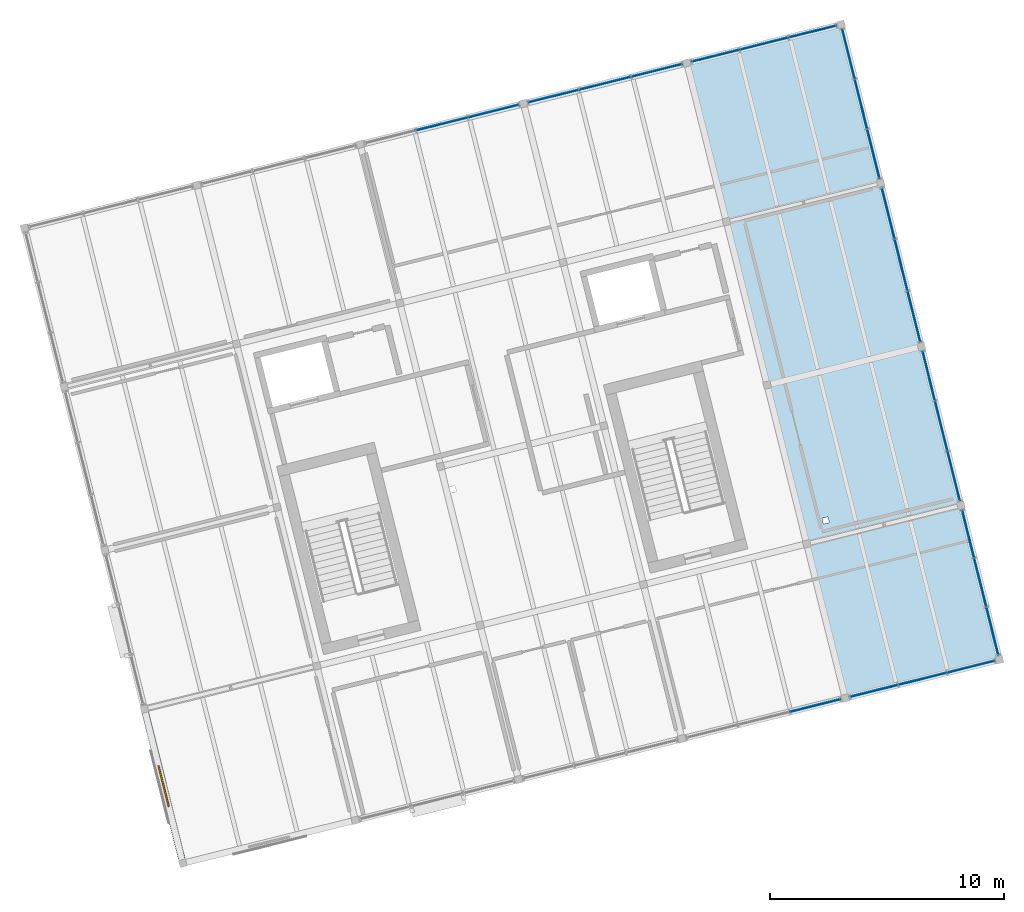
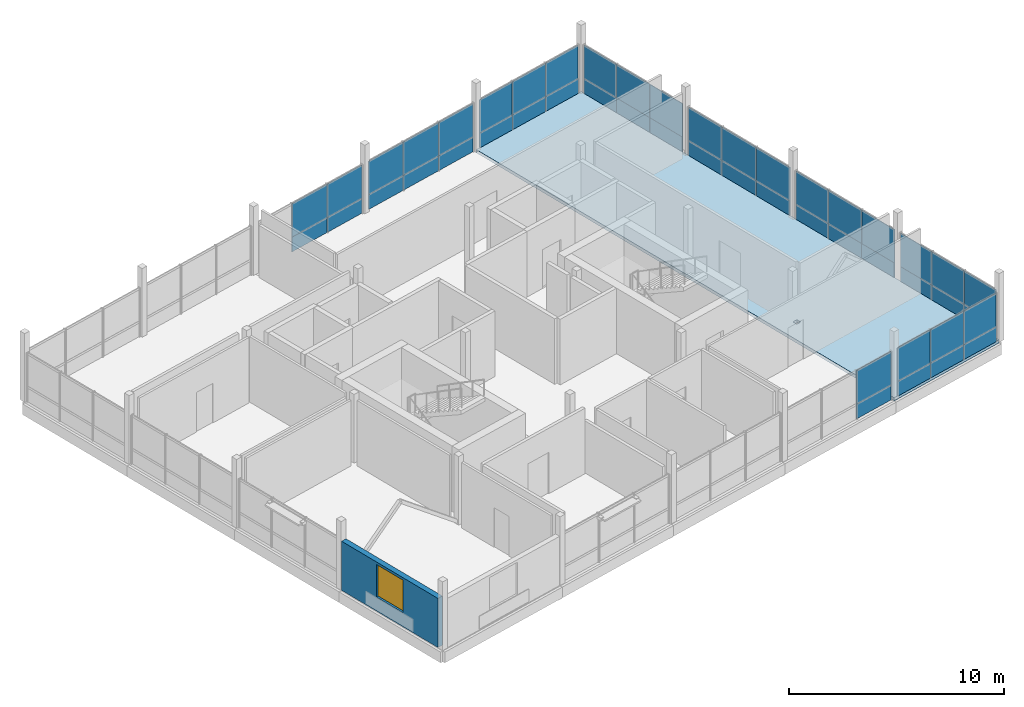
# One storey, part 22 of 25: 48 plates, 1 slab, 1 wall, 1 window, 1 opening, 9 elements without a shape of their own.
"""IFC4 building model written with IfcOpenShell, lengths in metres."""

from ifc_helpers import new_model, si_unit, direction, frame, frame_2d, origin, origin_2d, place, context, subcontext, project, spatial, polyline, rectangle, outline, extrude, material, layer, layer_set, type_object, element, fill, aggregate, save


model = new_model("IFC4")

# Units and contexts
model_context = context("Model", 3, precision=1e-05, world=origin(), true_north=direction((0.0, 1.0)))
body_context = subcontext(model_context, "Body", "Model", "MODEL_VIEW")
ifc_project = project(units=[si_unit("LENGTHUNIT", "METRE"), si_unit("AREAUNIT", "SQUARE_METRE"), si_unit("VOLUMEUNIT", "CUBIC_METRE"), si_unit("PLANEANGLEUNIT", "RADIAN"), si_unit("MASSUNIT", "GRAM", prefix="KILO")], contexts=[model_context])

# Site, building, storey
site_placement = place(None, origin())
site = spatial("IfcSite", under=ifc_project, at=site_placement, CompositionType="ELEMENT")
building_placement = place(site_placement, origin())
building = spatial("IfcBuilding", under=site, at=building_placement, Name="Meriwether Solvik Hall", CompositionType="ELEMENT")
storey_placement = place(building_placement, frame((0.0, 0.0, 49.5)))
storey = spatial("IfcBuildingStorey", under=building, at=storey_placement, Name="L12", CompositionType="ELEMENT", Elevation=49.5)

# Curtain wall, plates
ifc_material_1 = material(Name="Thermally Broken Anodised Aluminium 6063-T6 and Low-E Glass", Category="aluminium")
ifc_layer_1 = layer(ifc_material_1, 0.179931640625)
ifc_layer_set_1 = layer_set([ifc_layer_1], Name="Thermally Broken Anodised Aluminium 6063-T6 and Low-E Glass")
curtain_wall_type_1 = type_object("IfcCurtainWallType", Name="CW-UNIT-F", PredefinedType="USERDEFINED", material=ifc_layer_set_1)
curtain_wall_1_placement = place(storey_placement, origin())
curtain_wall_1 = element("IfcCurtainWall", 1, at=curtain_wall_1_placement, inside=storey, type_object=curtain_wall_type_1, Name="Curtain Wall E1_B2 (L12)", ObjectType="UNITISED CURTAIN WALL", PredefinedType="USERDEFINED")
ifc_material_2 = material(Name="Low-Emissivity Double-Glazed Laminated Glass", Category="glass")
ifc_layer_2 = layer(ifc_material_2, 0.031982421875)
ifc_layer_set_2 = layer_set([ifc_layer_2], Name="Low-Emissivity Double-Glazed Laminated Glass")
plate_type_1 = type_object("IfcPlateType", Name="PLT-GLZ-180X185", PredefinedType="CURTAIN_PANEL", material=ifc_layer_set_2)
plate_1_placement = place(storey_placement, frame((98.7724609375, 68.992919921875, 0.8369140625), z_axis=(0.0, 0.0, 1.0), x_axis=(0.241921877598, -0.970295730764, 0.0)))
plate_1 = element("IfcPlate", 2, at=plate_1_placement, type_object=plate_type_1, Name="Low-E Vision Glazing Panel 1", PredefinedType="CURTAIN_PANEL", context=body_context, shape_type="SweptSolid", body=[
    extrude(rectangle(XDim=2.240966796875, YDim=0.033935546875, at=origin_2d()), origin(), (0.0, 0.0, 1.0), 1.89306640625),
])
plate_2_placement = place(storey_placement, frame((99.3212890625, 66.792236328125, 0.8369140625), z_axis=(0.0, 0.0, 1.0), x_axis=(0.241921877598, -0.970295730764, 0.0)))
plate_2 = element("IfcPlate", 3, at=plate_2_placement, type_object=plate_type_1, Name="Low-E Vision Glazing Panel 2", PredefinedType="CURTAIN_PANEL", context=body_context, shape_type="SweptSolid", body=[
    extrude(rectangle(XDim=2.279052734375, YDim=0.033935546875, at=origin_2d()), origin(), (0.0, 0.0, 1.0), 1.89306640625),
])
plate_3_placement = place(storey_placement, frame((99.869873046875, 64.591796875, 0.8369140625), z_axis=(0.0, 0.0, 1.0), x_axis=(0.241921877598, -0.970295730764, 0.0)))
plate_3 = element("IfcPlate", 4, at=plate_3_placement, type_object=plate_type_1, Name="Low-E Vision Glazing Panel 3", PredefinedType="CURTAIN_PANEL", context=body_context, shape_type="SweptSolid", body=[
    extrude(rectangle(XDim=2.240966796875, YDim=0.033935546875, at=origin_2d()), origin(), (0.0, 0.0, 1.0), 1.89306640625),
])

ifc_material_3 = material(Name="Thermally Broken Anodised Aluminium 6063-T6 and Low-E Glass", Category="aluminium")
ifc_layer_3 = layer(ifc_material_3, 0.179931640625)
ifc_layer_set_3 = layer_set([ifc_layer_3], Name="Thermally Broken Anodised Aluminium 6063-T6 and Low-E Glass")
curtain_wall_type_2 = type_object("IfcCurtainWallType", Name="CW-UNIT-G", PredefinedType="USERDEFINED", material=ifc_layer_set_3)
curtain_wall_2_placement = place(storey_placement, origin())
curtain_wall_2 = element("IfcCurtainWall", 5, at=curtain_wall_2_placement, inside=storey, type_object=curtain_wall_type_2, Name="Curtain Wall E2_B2 (L12)", ObjectType="UNITISED CURTAIN WALL", PredefinedType="USERDEFINED")
plate_4_placement = place(storey_placement, frame((79.6796875, 72.819580078125, 0.8369140625), z_axis=(0.0, 0.0, 1.0), x_axis=(0.970295730764, 0.241921877598, 0.0)))
plate_4 = element("IfcPlate", 6, at=plate_4_placement, type_object=plate_type_1, Name="Low-E Vision Glazing Panel 2", PredefinedType="CURTAIN_PANEL", context=body_context, shape_type="SweptSolid", body=[
    extrude(rectangle(XDim=2.279052734375, YDim=0.033935546875, at=origin_2d()), origin(), (0.0, 0.0, 1.0), 1.89306640625),
])
plate_5_placement = place(storey_placement, frame((81.88037109375, 73.368408203125, 0.8369140625), z_axis=(0.0, 0.0, 1.0), x_axis=(0.970295730764, 0.241921877598, 0.0)))
plate_5 = element("IfcPlate", 7, at=plate_5_placement, type_object=plate_type_1, Name="Low-E Vision Glazing Panel 3", PredefinedType="CURTAIN_PANEL", context=body_context, shape_type="SweptSolid", body=[
    extrude(rectangle(XDim=2.240966796875, YDim=0.033935546875, at=origin_2d()), origin(), (0.0, 0.0, 1.0), 1.89306640625),
])

ifc_material_4 = material(Name="Thermally Broken Anodised Aluminium 6063-T6 and Low-E Glass", Category="aluminium")
ifc_layer_4 = layer(ifc_material_4, 0.179931640625)
ifc_layer_set_4 = layer_set([ifc_layer_4], Name="Thermally Broken Anodised Aluminium 6063-T6 and Low-E Glass")
curtain_wall_type_3 = type_object("IfcCurtainWallType", Name="CW-UNIT-E", PredefinedType="USERDEFINED", material=ifc_layer_set_4)
curtain_wall_3_placement = place(storey_placement, origin())
curtain_wall_3 = element("IfcCurtainWall", 8, at=curtain_wall_3_placement, inside=storey, type_object=curtain_wall_type_3, Name="Curtain Wall E1_B1 (L12)", ObjectType="UNITISED CURTAIN WALL", PredefinedType="USERDEFINED")
ifc_material_5 = material(Name="Low-Emissivity Double-Glazed Laminated Glass", Category="glass")
ifc_layer_5 = layer(ifc_material_5, 0.031982421875)
ifc_layer_set_5 = layer_set([ifc_layer_5], Name="Low-Emissivity Double-Glazed Laminated Glass")
plate_type_2 = type_object("IfcPlateType", Name="PLT-GLZ-195X185", PredefinedType="CURTAIN_PANEL", material=ifc_layer_set_5)
plate_6_placement = place(storey_placement, frame((100.50634765625, 62.0390625, 0.8369140625), z_axis=(0.0, 0.0, 1.0), x_axis=(0.241921784185, -0.970295754055, 0.0)))
plate_6 = element("IfcPlate", 9, at=plate_6_placement, type_object=plate_type_2, Name="Low-E Vision Glazing Panel 1", PredefinedType="CURTAIN_PANEL", context=body_context, shape_type="SweptSolid", body=[
    extrude(rectangle(XDim=2.17431640625, YDim=0.033935546875, at=origin_2d()), origin(), (0.0, 0.0, 1.0), 1.89306640625),
])
plate_7_placement = place(storey_placement, frame((101.038818359375, 59.9033203125, 0.8369140625), z_axis=(0.0, 0.0, 1.0), x_axis=(0.241921784185, -0.970295754055, 0.0)))
plate_7 = element("IfcPlate", 10, at=plate_7_placement, type_object=plate_type_2, Name="Low-E Vision Glazing Panel 2", PredefinedType="CURTAIN_PANEL", context=body_context, shape_type="SweptSolid", body=[
    extrude(rectangle(XDim=2.21240234375, YDim=0.033935546875, at=origin_2d()), origin(), (0.0, 0.0, 1.0), 1.89306640625),
])
plate_8_placement = place(storey_placement, frame((101.5712890625, 57.767333984375, 0.8369140625), z_axis=(0.0, 0.0, 1.0), x_axis=(0.241921784185, -0.970295754055, 0.0)))
plate_8 = element("IfcPlate", 11, at=plate_8_placement, type_object=plate_type_2, Name="Low-E Vision Glazing Panel 3", PredefinedType="CURTAIN_PANEL", context=body_context, shape_type="SweptSolid", body=[
    extrude(rectangle(XDim=2.17431640625, YDim=0.033935546875, at=origin_2d()), origin(), (0.0, 0.0, 1.0), 1.89306640625),
])

curtain_wall_4_placement = place(storey_placement, origin())
curtain_wall_4 = element("IfcCurtainWall", 12, at=curtain_wall_4_placement, inside=storey, type_object=curtain_wall_type_2, Name="Curtain Wall E0_B4 (L12)", ObjectType="UNITISED CURTAIN WALL", PredefinedType="USERDEFINED")
ifc_material_6 = material(Name="Low-Emissivity Double-Glazed Laminated Glass", Category="glass")
ifc_layer_6 = layer(ifc_material_6, 0.031982421875)
ifc_layer_set_6 = layer_set([ifc_layer_6], Name="Low-Emissivity Double-Glazed Laminated Glass")
plate_type_3 = type_object("IfcPlateType", Name="PLT-GLZ-210X195", PredefinedType="CURTAIN_PANEL", material=ifc_layer_set_6)
plate_9_placement = place(storey_placement, frame((102.302978515625, 49.60302734375, 0.8369140625), z_axis=(0.0, 0.0, 1.0), x_axis=(-0.970295742456, -0.241921830705, 0.0)))
plate_9 = element("IfcPlate", 13, at=plate_9_placement, type_object=plate_type_3, Name="Low-E Vision Glazing Panel 1", PredefinedType="CURTAIN_PANEL", context=body_context, shape_type="SweptSolid", body=[
    extrude(rectangle(XDim=2.107666015625, YDim=0.033935546875, at=origin_2d()), origin(), (0.0, 0.0, 1.0), 1.89306640625),
])
plate_10_placement = place(storey_placement, frame((100.231689453125, 49.086669921875, 0.8369140625), z_axis=(0.0, 0.0, 1.0), x_axis=(-0.970295742456, -0.241921830705, 0.0)))
plate_10 = element("IfcPlate", 14, at=plate_10_placement, type_object=plate_type_3, Name="Low-E Vision Glazing Panel 2", PredefinedType="CURTAIN_PANEL", context=body_context, shape_type="SweptSolid", body=[
    extrude(rectangle(XDim=2.145751953125, YDim=0.033935546875, at=origin_2d()), origin(), (0.0, 0.0, 1.0), 1.89306640625),
])
plate_11_placement = place(storey_placement, frame((98.160400390625, 48.5703125, 0.8369140625), z_axis=(0.0, 0.0, 1.0), x_axis=(-0.970295742456, -0.241921830705, 0.0)))
plate_11 = element("IfcPlate", 15, at=plate_11_placement, type_object=plate_type_3, Name="Low-E Vision Glazing Panel 3", PredefinedType="CURTAIN_PANEL", context=body_context, shape_type="SweptSolid", body=[
    extrude(rectangle(XDim=2.107666015625, YDim=0.033935546875, at=origin_2d()), origin(), (0.0, 0.0, 1.0), 1.89306640625),
])

ifc_material_7 = material(Name="Thermally Broken Anodised Aluminium 6063-T6 and Low-E Glass", Category="aluminium")
ifc_layer_7 = layer(ifc_material_7, 0.179931640625)
ifc_layer_set_7 = layer_set([ifc_layer_7], Name="Thermally Broken Anodised Aluminium 6063-T6 and Low-E Glass")
curtain_wall_type_4 = type_object("IfcCurtainWallType", Name="CW-UNIT-D", PredefinedType="USERDEFINED", material=ifc_layer_set_7)
curtain_wall_5_placement = place(storey_placement, origin())
curtain_wall_5 = element("IfcCurtainWall", 16, at=curtain_wall_5_placement, inside=storey, type_object=curtain_wall_type_4, Name="Curtain Wall E1_B0 (L12)", ObjectType="UNITISED CURTAIN WALL", PredefinedType="USERDEFINED")
plate_12_placement = place(storey_placement, frame((102.191650390625, 55.279541015625, 0.8369140625), z_axis=(0.0, 0.0, 1.0), x_axis=(0.241921830705, -0.970295742456, 0.0)))
plate_12 = element("IfcPlate", 17, at=plate_12_placement, type_object=plate_type_3, Name="Low-E Vision Glazing Panel 1", PredefinedType="CURTAIN_PANEL", context=body_context, shape_type="SweptSolid", body=[
    extrude(rectangle(XDim=2.107666015625, YDim=0.033935546875, at=origin_2d()), origin(), (0.0, 0.0, 1.0), 1.89306640625),
])
plate_13_placement = place(storey_placement, frame((102.7080078125, 53.208251953125, 0.8369140625), z_axis=(0.0, 0.0, 1.0), x_axis=(0.241921830705, -0.970295742456, 0.0)))
plate_13 = element("IfcPlate", 18, at=plate_13_placement, type_object=plate_type_3, Name="Low-E Vision Glazing Panel 2", PredefinedType="CURTAIN_PANEL", context=body_context, shape_type="SweptSolid", body=[
    extrude(rectangle(XDim=2.145751953125, YDim=0.033935546875, at=origin_2d()), origin(), (0.0, 0.0, 1.0), 1.89306640625),
])
plate_14_placement = place(storey_placement, frame((103.224609375, 51.136962890625, 0.8369140625), z_axis=(0.0, 0.0, 1.0), x_axis=(0.241921830705, -0.970295742456, 0.0)))
plate_14 = element("IfcPlate", 19, at=plate_14_placement, type_object=plate_type_3, Name="Low-E Vision Glazing Panel 3", PredefinedType="CURTAIN_PANEL", context=body_context, shape_type="SweptSolid", body=[
    extrude(rectangle(XDim=2.107666015625, YDim=0.033935546875, at=origin_2d()), origin(), (0.0, 0.0, 1.0), 1.89306640625),
])

ifc_material_8 = material(Name="Thermally Broken Anodised Aluminium 6063-T6 and Low-E Glass", Category="aluminium")
ifc_layer_8 = layer(ifc_material_8, 0.179931640625)
ifc_layer_set_8 = layer_set([ifc_layer_8], Name="Thermally Broken Anodised Aluminium 6063-T6 and Low-E Glass")
curtain_wall_type_5 = type_object("IfcCurtainWallType", Name="CW-UNIT-B", PredefinedType="USERDEFINED", material=ifc_layer_set_8)
curtain_wall_6_placement = place(storey_placement, origin())
curtain_wall_6 = element("IfcCurtainWall", 20, at=curtain_wall_6_placement, inside=storey, type_object=curtain_wall_type_5, Name="Curtain Wall E2_B4 (L12)", ObjectType="UNITISED CURTAIN WALL", PredefinedType="USERDEFINED")
plate_15_placement = place(storey_placement, frame((91.386474609375, 75.738525390625, 0.8369140625), z_axis=(0.0, 0.0, 1.0), x_axis=(0.970295706127, 0.241921976413, 0.0)))
plate_15 = element("IfcPlate", 21, at=plate_15_placement, type_object=plate_type_3, Name="Low-E Vision Glazing Panel 1", PredefinedType="CURTAIN_PANEL", context=body_context, shape_type="SweptSolid", body=[
    extrude(rectangle(XDim=2.107666015625, YDim=0.033935546875, at=origin_2d()), origin(), (0.0, 0.0, 1.0), 1.89306640625),
])
plate_16_placement = place(storey_placement, frame((93.457763671875, 76.2548828125, 0.8369140625), z_axis=(0.0, 0.0, 1.0), x_axis=(0.970295706127, 0.241921976413, 0.0)))
plate_16 = element("IfcPlate", 22, at=plate_16_placement, type_object=plate_type_3, Name="Low-E Vision Glazing Panel 2", PredefinedType="CURTAIN_PANEL", context=body_context, shape_type="SweptSolid", body=[
    extrude(rectangle(XDim=2.145751953125, YDim=0.033935546875, at=origin_2d()), origin(), (0.0, 0.0, 1.0), 1.89306640625),
])
plate_17_placement = place(storey_placement, frame((95.529052734375, 76.771240234375, 0.8369140625), z_axis=(0.0, 0.0, 1.0), x_axis=(0.970295706127, 0.241921976413, 0.0)))
plate_17 = element("IfcPlate", 23, at=plate_17_placement, type_object=plate_type_3, Name="Low-E Vision Glazing Panel 3", PredefinedType="CURTAIN_PANEL", context=body_context, shape_type="SweptSolid", body=[
    extrude(rectangle(XDim=2.107666015625, YDim=0.033935546875, at=origin_2d()), origin(), (0.0, 0.0, 1.0), 1.89306640625),
])

# Curtain wall, plate
curtain_wall_7_placement = place(storey_placement, origin())
curtain_wall_7 = element("IfcCurtainWall", 24, at=curtain_wall_7_placement, inside=storey, type_object=curtain_wall_type_1, Name="Curtain Wall E0_B3 (L12)", ObjectType="UNITISED CURTAIN WALL", PredefinedType="USERDEFINED")
ifc_material_9 = material(Name="Low-Emissivity Double-Glazed Laminated Glass", Category="glass")
ifc_layer_9 = layer(ifc_material_9, 0.031982421875)
ifc_layer_set_9 = layer_set([ifc_layer_9], Name="Low-Emissivity Double-Glazed Laminated Glass")
plate_type_4 = type_object("IfcPlateType", Name="PLT-GLZ-225X195", PredefinedType="CURTAIN_PANEL", material=ifc_layer_set_9)
plate_18_placement = place(storey_placement, frame((95.64013671875, 47.94189453125, 0.8369140625), z_axis=(0.0, 0.0, 1.0), x_axis=(-0.970295696551, -0.241922014821, 0.0)))
plate_18 = element("IfcPlate", 25, at=plate_18_placement, type_object=plate_type_4, Name="Low-E Vision Glazing Panel 1", PredefinedType="CURTAIN_PANEL", context=body_context, shape_type="SweptSolid", body=[
    extrude(rectangle(XDim=2.240966796875, YDim=0.033935546875, at=origin_2d()), origin(), (0.0, 0.0, 1.0), 1.89306640625),
])

# Curtain wall, plates
curtain_wall_8_placement = place(storey_placement, origin())
curtain_wall_8 = element("IfcCurtainWall", 26, at=curtain_wall_8_placement, inside=storey, type_object=curtain_wall_type_2, Name="Curtain Wall E1_B3 (L12)", ObjectType="UNITISED CURTAIN WALL", PredefinedType="USERDEFINED")
plate_19_placement = place(storey_placement, frame((97.071044921875, 75.8173828125, 0.8369140625), z_axis=(0.0, 0.0, 1.0), x_axis=(0.241921960765, -0.970295710028, 0.0)))
plate_19 = element("IfcPlate", 27, at=plate_19_placement, type_object=plate_type_4, Name="Low-E Vision Glazing Panel 1", PredefinedType="CURTAIN_PANEL", context=body_context, shape_type="SweptSolid", body=[
    extrude(rectangle(XDim=2.17431640625, YDim=0.033935546875, at=origin_2d()), origin(), (0.0, 0.0, 1.0), 1.89306640625),
])
plate_20_placement = place(storey_placement, frame((97.603515625, 73.681396484375, 0.8369140625), z_axis=(0.0, 0.0, 1.0), x_axis=(0.241921960765, -0.970295710028, 0.0)))
plate_20 = element("IfcPlate", 28, at=plate_20_placement, type_object=plate_type_4, Name="Low-E Vision Glazing Panel 2", PredefinedType="CURTAIN_PANEL", context=body_context, shape_type="SweptSolid", body=[
    extrude(rectangle(XDim=2.21240234375, YDim=0.033935546875, at=origin_2d()), origin(), (0.0, 0.0, 1.0), 1.89306640625),
])
plate_21_placement = place(storey_placement, frame((98.13623046875, 71.54541015625, 0.8369140625), z_axis=(0.0, 0.0, 1.0), x_axis=(0.241921960765, -0.970295710028, 0.0)))
plate_21 = element("IfcPlate", 29, at=plate_21_placement, type_object=plate_type_4, Name="Low-E Vision Glazing Panel 3", PredefinedType="CURTAIN_PANEL", context=body_context, shape_type="SweptSolid", body=[
    extrude(rectangle(XDim=2.17431640625, YDim=0.033935546875, at=origin_2d()), origin(), (0.0, 0.0, 1.0), 1.89306640625),
])

ifc_material_10 = material(Name="Thermally Broken Anodised Aluminium 6063-T6 and Low-E Glass", Category="aluminium")
ifc_layer_10 = layer(ifc_material_10, 0.179931640625)
ifc_layer_set_10 = layer_set([ifc_layer_10], Name="Thermally Broken Anodised Aluminium 6063-T6 and Low-E Glass")
curtain_wall_type_6 = type_object("IfcCurtainWallType", Name="CW-UNIT-A", PredefinedType="USERDEFINED", material=ifc_layer_set_10)
curtain_wall_9_placement = place(storey_placement, origin())
curtain_wall_9 = element("IfcCurtainWall", 30, at=curtain_wall_9_placement, inside=storey, type_object=curtain_wall_type_6, Name="Curtain Wall E2_B3 (L12)", ObjectType="UNITISED CURTAIN WALL", PredefinedType="USERDEFINED")
plate_22_placement = place(storey_placement, frame((84.465087890625, 74.0126953125, 0.8369140625), z_axis=(0.0, 0.0, 1.0), x_axis=(0.970295730764, 0.241921877598, 0.0)))
plate_22 = element("IfcPlate", 31, at=plate_22_placement, type_object=plate_type_4, Name="Low-E Vision Glazing Panel 1", PredefinedType="CURTAIN_PANEL", context=body_context, shape_type="SweptSolid", body=[
    extrude(rectangle(XDim=2.240966796875, YDim=0.033935546875, at=origin_2d()), origin(), (0.0, 0.0, 1.0), 1.89306640625),
])
plate_23_placement = place(storey_placement, frame((86.665771484375, 74.5615234375, 0.8369140625), z_axis=(0.0, 0.0, 1.0), x_axis=(0.970295730764, 0.241921877598, 0.0)))
plate_23 = element("IfcPlate", 32, at=plate_23_placement, type_object=plate_type_4, Name="Low-E Vision Glazing Panel 2", PredefinedType="CURTAIN_PANEL", context=body_context, shape_type="SweptSolid", body=[
    extrude(rectangle(XDim=2.279052734375, YDim=0.033935546875, at=origin_2d()), origin(), (0.0, 0.0, 1.0), 1.89306640625),
])
plate_24_placement = place(storey_placement, frame((88.866455078125, 75.110107421875, 0.8369140625), z_axis=(0.0, 0.0, 1.0), x_axis=(0.970295730764, 0.241921877598, 0.0)))
plate_24 = element("IfcPlate", 33, at=plate_24_placement, type_object=plate_type_4, Name="Low-E Vision Glazing Panel 3", PredefinedType="CURTAIN_PANEL", context=body_context, shape_type="SweptSolid", body=[
    extrude(rectangle(XDim=2.240966796875, YDim=0.033935546875, at=origin_2d()), origin(), (0.0, 0.0, 1.0), 1.89306640625),
])

# Plate
ifc_material_11 = material(Name="Mineral-Wool Insulated Anodised Aluminium 6063-T6", Category="aluminium")
ifc_layer_11 = layer(ifc_material_11, 0.044921875)
ifc_layer_set_11 = layer_set([ifc_layer_11], Name="Mineral-Wool Insulated Anodised Aluminium 6063-T6")
plate_type_5 = type_object("IfcPlateType", Name="PLT-SPN-200X085", PredefinedType="CURTAIN_PANEL", material=ifc_layer_set_11)
plate_25_placement = place(storey_placement, frame((95.64013671875, 47.94189453125, 0.0), z_axis=(0.0, 0.0, 1.0), x_axis=(-0.970295696551, -0.241922014821, 0.0)))
plate_25 = element("IfcPlate", 34, at=plate_25_placement, type_object=plate_type_5, Name="Insulated Spandrel Panel 1", PredefinedType="CURTAIN_PANEL", context=body_context, shape_type="SweptSolid", body=[
    extrude(rectangle(XDim=2.240966796875, YDim=0.044921875, at=origin_2d()), origin(), (0.0, 0.0, 1.0), 0.8369140625),
])

aggregate(curtain_wall_7, [plate_25, plate_18])

plate_26_placement = place(storey_placement, frame((102.302978515625, 49.60302734375, 0.0), z_axis=(0.0, 0.0, 1.0), x_axis=(-0.970295742456, -0.241921830705, 0.0)))
plate_26 = element("IfcPlate", 35, at=plate_26_placement, type_object=plate_type_5, Name="Insulated Spandrel Panel 1", PredefinedType="CURTAIN_PANEL", context=body_context, shape_type="SweptSolid", body=[
    extrude(rectangle(XDim=2.107666015625, YDim=0.044921875, at=origin_2d()), origin(), (0.0, 0.0, 1.0), 0.8369140625),
])

plate_27_placement = place(storey_placement, frame((100.231689453125, 49.086669921875, 0.0), z_axis=(0.0, 0.0, 1.0), x_axis=(-0.970295742456, -0.241921830705, 0.0)))
plate_27 = element("IfcPlate", 36, at=plate_27_placement, type_object=plate_type_5, Name="Insulated Spandrel Panel 2", PredefinedType="CURTAIN_PANEL", context=body_context, shape_type="SweptSolid", body=[
    extrude(rectangle(XDim=2.145751953125, YDim=0.044921875, at=origin_2d()), origin(), (0.0, 0.0, 1.0), 0.8369140625),
])

plate_28_placement = place(storey_placement, frame((98.160400390625, 48.5703125, 0.0), z_axis=(0.0, 0.0, 1.0), x_axis=(-0.970295742456, -0.241921830705, 0.0)))
plate_28 = element("IfcPlate", 37, at=plate_28_placement, type_object=plate_type_5, Name="Insulated Spandrel Panel 3", PredefinedType="CURTAIN_PANEL", context=body_context, shape_type="SweptSolid", body=[
    extrude(rectangle(XDim=2.107666015625, YDim=0.044921875, at=origin_2d()), origin(), (0.0, 0.0, 1.0), 0.8369140625),
])

aggregate(curtain_wall_4, [plate_26, plate_9, plate_27, plate_10, plate_28, plate_11])

plate_29_placement = place(storey_placement, frame((102.191650390625, 55.279541015625, 0.0), z_axis=(0.0, 0.0, 1.0), x_axis=(0.241921830705, -0.970295742456, 0.0)))
plate_29 = element("IfcPlate", 38, at=plate_29_placement, type_object=plate_type_5, Name="Insulated Spandrel Panel 1", PredefinedType="CURTAIN_PANEL", context=body_context, shape_type="SweptSolid", body=[
    extrude(rectangle(XDim=2.107666015625, YDim=0.044921875, at=origin_2d()), origin(), (0.0, 0.0, 1.0), 0.8369140625),
])

plate_30_placement = place(storey_placement, frame((102.7080078125, 53.208251953125, 0.0), z_axis=(0.0, 0.0, 1.0), x_axis=(0.241921830705, -0.970295742456, 0.0)))
plate_30 = element("IfcPlate", 39, at=plate_30_placement, type_object=plate_type_5, Name="Insulated Spandrel Panel 2", PredefinedType="CURTAIN_PANEL", context=body_context, shape_type="SweptSolid", body=[
    extrude(rectangle(XDim=2.145751953125, YDim=0.044921875, at=origin_2d()), origin(), (0.0, 0.0, 1.0), 0.8369140625),
])

plate_31_placement = place(storey_placement, frame((103.224609375, 51.136962890625, 0.0), z_axis=(0.0, 0.0, 1.0), x_axis=(0.241921830705, -0.970295742456, 0.0)))
plate_31 = element("IfcPlate", 40, at=plate_31_placement, type_object=plate_type_5, Name="Insulated Spandrel Panel 3", PredefinedType="CURTAIN_PANEL", context=body_context, shape_type="SweptSolid", body=[
    extrude(rectangle(XDim=2.107666015625, YDim=0.044921875, at=origin_2d()), origin(), (0.0, 0.0, 1.0), 0.8369140625),
])

aggregate(curtain_wall_5, [plate_29, plate_12, plate_30, plate_13, plate_31, plate_14])

plate_32_placement = place(storey_placement, frame((100.50634765625, 62.0390625, 0.0), z_axis=(0.0, 0.0, 1.0), x_axis=(0.241921784185, -0.970295754055, 0.0)))
plate_32 = element("IfcPlate", 41, at=plate_32_placement, type_object=plate_type_5, Name="Insulated Spandrel Panel 1", PredefinedType="CURTAIN_PANEL", context=body_context, shape_type="SweptSolid", body=[
    extrude(rectangle(XDim=2.17431640625, YDim=0.044921875, at=origin_2d()), origin(), (0.0, 0.0, 1.0), 0.8369140625),
])

plate_33_placement = place(storey_placement, frame((101.038818359375, 59.9033203125, 0.0), z_axis=(0.0, 0.0, 1.0), x_axis=(0.241921784185, -0.970295754055, 0.0)))
plate_33 = element("IfcPlate", 42, at=plate_33_placement, type_object=plate_type_5, Name="Insulated Spandrel Panel 2", PredefinedType="CURTAIN_PANEL", context=body_context, shape_type="SweptSolid", body=[
    extrude(rectangle(XDim=2.21240234375, YDim=0.044921875, at=origin_2d()), origin(), (0.0, 0.0, 1.0), 0.8369140625),
])

plate_34_placement = place(storey_placement, frame((101.5712890625, 57.767333984375, 0.0), z_axis=(0.0, 0.0, 1.0), x_axis=(0.241921784185, -0.970295754055, 0.0)))
plate_34 = element("IfcPlate", 43, at=plate_34_placement, type_object=plate_type_5, Name="Insulated Spandrel Panel 3", PredefinedType="CURTAIN_PANEL", context=body_context, shape_type="SweptSolid", body=[
    extrude(rectangle(XDim=2.17431640625, YDim=0.044921875, at=origin_2d()), origin(), (0.0, 0.0, 1.0), 0.8369140625),
])

aggregate(curtain_wall_3, [plate_32, plate_6, plate_33, plate_7, plate_34, plate_8])

plate_35_placement = place(storey_placement, frame((98.7724609375, 68.992919921875, 0.0), z_axis=(0.0, 0.0, 1.0), x_axis=(0.241921877598, -0.970295730764, 0.0)))
plate_35 = element("IfcPlate", 44, at=plate_35_placement, type_object=plate_type_5, Name="Insulated Spandrel Panel 1", PredefinedType="CURTAIN_PANEL", context=body_context, shape_type="SweptSolid", body=[
    extrude(rectangle(XDim=2.240966796875, YDim=0.044921875, at=origin_2d()), origin(), (0.0, 0.0, 1.0), 0.8369140625),
])

plate_36_placement = place(storey_placement, frame((99.3212890625, 66.792236328125, 0.0), z_axis=(0.0, 0.0, 1.0), x_axis=(0.241921877598, -0.970295730764, 0.0)))
plate_36 = element("IfcPlate", 45, at=plate_36_placement, type_object=plate_type_5, Name="Insulated Spandrel Panel 2", PredefinedType="CURTAIN_PANEL", context=body_context, shape_type="SweptSolid", body=[
    extrude(rectangle(XDim=2.279052734375, YDim=0.044921875, at=origin_2d()), origin(), (0.0, 0.0, 1.0), 0.8369140625),
])

plate_37_placement = place(storey_placement, frame((99.869873046875, 64.591796875, 0.0), z_axis=(0.0, 0.0, 1.0), x_axis=(0.241921877598, -0.970295730764, 0.0)))
plate_37 = element("IfcPlate", 46, at=plate_37_placement, type_object=plate_type_5, Name="Insulated Spandrel Panel 3", PredefinedType="CURTAIN_PANEL", context=body_context, shape_type="SweptSolid", body=[
    extrude(rectangle(XDim=2.240966796875, YDim=0.044921875, at=origin_2d()), origin(), (0.0, 0.0, 1.0), 0.8369140625),
])

aggregate(curtain_wall_1, [plate_35, plate_1, plate_36, plate_2, plate_37, plate_3])

plate_38_placement = place(storey_placement, frame((97.071044921875, 75.8173828125, 0.0), z_axis=(0.0, 0.0, 1.0), x_axis=(0.241921960765, -0.970295710028, 0.0)))
plate_38 = element("IfcPlate", 47, at=plate_38_placement, type_object=plate_type_5, Name="Insulated Spandrel Panel 1", PredefinedType="CURTAIN_PANEL", context=body_context, shape_type="SweptSolid", body=[
    extrude(rectangle(XDim=2.17431640625, YDim=0.044921875, at=origin_2d()), origin(), (0.0, 0.0, 1.0), 0.8369140625),
])

plate_39_placement = place(storey_placement, frame((97.603515625, 73.681396484375, 0.0), z_axis=(0.0, 0.0, 1.0), x_axis=(0.241921960765, -0.970295710028, 0.0)))
plate_39 = element("IfcPlate", 48, at=plate_39_placement, type_object=plate_type_5, Name="Insulated Spandrel Panel 2", PredefinedType="CURTAIN_PANEL", context=body_context, shape_type="SweptSolid", body=[
    extrude(rectangle(XDim=2.21240234375, YDim=0.044921875, at=origin_2d()), origin(), (0.0, 0.0, 1.0), 0.8369140625),
])

plate_40_placement = place(storey_placement, frame((98.13623046875, 71.54541015625, 0.0), z_axis=(0.0, 0.0, 1.0), x_axis=(0.241921960765, -0.970295710028, 0.0)))
plate_40 = element("IfcPlate", 49, at=plate_40_placement, type_object=plate_type_5, Name="Insulated Spandrel Panel 3", PredefinedType="CURTAIN_PANEL", context=body_context, shape_type="SweptSolid", body=[
    extrude(rectangle(XDim=2.17431640625, YDim=0.044921875, at=origin_2d()), origin(), (0.0, 0.0, 1.0), 0.8369140625),
])

aggregate(curtain_wall_8, [plate_38, plate_19, plate_39, plate_20, plate_40, plate_21])

plate_41_placement = place(storey_placement, frame((79.6796875, 72.819580078125, 0.0), z_axis=(0.0, 0.0, 1.0), x_axis=(0.970295730764, 0.241921877598, 0.0)))
plate_41 = element("IfcPlate", 50, at=plate_41_placement, type_object=plate_type_5, Name="Insulated Spandrel Panel 2", PredefinedType="CURTAIN_PANEL", context=body_context, shape_type="SweptSolid", body=[
    extrude(rectangle(XDim=2.279052734375, YDim=0.044921875, at=origin_2d()), origin(), (0.0, 0.0, 1.0), 0.8369140625),
])

plate_42_placement = place(storey_placement, frame((81.88037109375, 73.368408203125, 0.0), z_axis=(0.0, 0.0, 1.0), x_axis=(0.970295730764, 0.241921877598, 0.0)))
plate_42 = element("IfcPlate", 51, at=plate_42_placement, type_object=plate_type_5, Name="Insulated Spandrel Panel 3", PredefinedType="CURTAIN_PANEL", context=body_context, shape_type="SweptSolid", body=[
    extrude(rectangle(XDim=2.240966796875, YDim=0.044921875, at=origin_2d()), origin(), (0.0, 0.0, 1.0), 0.8369140625),
])

aggregate(curtain_wall_2, [plate_41, plate_4, plate_42, plate_5])

plate_43_placement = place(storey_placement, frame((84.465087890625, 74.0126953125, 0.0), z_axis=(0.0, 0.0, 1.0), x_axis=(0.970295730764, 0.241921877598, 0.0)))
plate_43 = element("IfcPlate", 52, at=plate_43_placement, type_object=plate_type_5, Name="Insulated Spandrel Panel 1", PredefinedType="CURTAIN_PANEL", context=body_context, shape_type="SweptSolid", body=[
    extrude(rectangle(XDim=2.240966796875, YDim=0.044921875, at=origin_2d()), origin(), (0.0, 0.0, 1.0), 0.8369140625),
])

plate_44_placement = place(storey_placement, frame((86.665771484375, 74.5615234375, 0.0), z_axis=(0.0, 0.0, 1.0), x_axis=(0.970295730764, 0.241921877598, 0.0)))
plate_44 = element("IfcPlate", 53, at=plate_44_placement, type_object=plate_type_5, Name="Insulated Spandrel Panel 2", PredefinedType="CURTAIN_PANEL", context=body_context, shape_type="SweptSolid", body=[
    extrude(rectangle(XDim=2.279052734375, YDim=0.044921875, at=origin_2d()), origin(), (0.0, 0.0, 1.0), 0.8369140625),
])

plate_45_placement = place(storey_placement, frame((88.866455078125, 75.110107421875, 0.0), z_axis=(0.0, 0.0, 1.0), x_axis=(0.970295730764, 0.241921877598, 0.0)))
plate_45 = element("IfcPlate", 54, at=plate_45_placement, type_object=plate_type_5, Name="Insulated Spandrel Panel 3", PredefinedType="CURTAIN_PANEL", context=body_context, shape_type="SweptSolid", body=[
    extrude(rectangle(XDim=2.240966796875, YDim=0.044921875, at=origin_2d()), origin(), (0.0, 0.0, 1.0), 0.8369140625),
])

aggregate(curtain_wall_9, [plate_43, plate_22, plate_44, plate_23, plate_45, plate_24])

plate_46_placement = place(storey_placement, frame((91.386474609375, 75.738525390625, 0.0), z_axis=(0.0, 0.0, 1.0), x_axis=(0.970295706127, 0.241921976413, 0.0)))
plate_46 = element("IfcPlate", 55, at=plate_46_placement, type_object=plate_type_5, Name="Insulated Spandrel Panel 1", PredefinedType="CURTAIN_PANEL", context=body_context, shape_type="SweptSolid", body=[
    extrude(rectangle(XDim=2.107666015625, YDim=0.044921875, at=origin_2d()), origin(), (0.0, 0.0, 1.0), 0.8369140625),
])

plate_47_placement = place(storey_placement, frame((93.457763671875, 76.2548828125, 0.0), z_axis=(0.0, 0.0, 1.0), x_axis=(0.970295706127, 0.241921976413, 0.0)))
plate_47 = element("IfcPlate", 56, at=plate_47_placement, type_object=plate_type_5, Name="Insulated Spandrel Panel 2", PredefinedType="CURTAIN_PANEL", context=body_context, shape_type="SweptSolid", body=[
    extrude(rectangle(XDim=2.145751953125, YDim=0.044921875, at=origin_2d()), origin(), (0.0, 0.0, 1.0), 0.8369140625),
])

plate_48_placement = place(storey_placement, frame((95.529052734375, 76.771240234375, 0.0), z_axis=(0.0, 0.0, 1.0), x_axis=(0.970295706127, 0.241921976413, 0.0)))
plate_48 = element("IfcPlate", 57, at=plate_48_placement, type_object=plate_type_5, Name="Insulated Spandrel Panel 3", PredefinedType="CURTAIN_PANEL", context=body_context, shape_type="SweptSolid", body=[
    extrude(rectangle(XDim=2.107666015625, YDim=0.044921875, at=origin_2d()), origin(), (0.0, 0.0, 1.0), 0.8369140625),
])

aggregate(curtain_wall_6, [plate_46, plate_15, plate_47, plate_16, plate_48, plate_17])

# Slab
ifc_material_12 = material(Name="Cross-Laminated Timber PRG 320 E1", Category="wood")
ifc_layer_12 = layer(ifc_material_12, 0.179931640625)
ifc_layer_set_12 = layer_set([ifc_layer_12], Name="Cross-Laminated Timber PRG 320 E1")
slab_type = type_object("IfcSlabType", Name="SLB-CLT-180", PredefinedType="FLOOR", material=ifc_layer_set_12)
slab_placement = place(storey_placement, frame((0.0, 0.0, -0.179931640625)))
element("IfcSlab", 58, at=slab_placement, inside=storey, type_object=slab_type, Name="L12 Mass-Timber CLT Floor E", PredefinedType="FLOOR", context=body_context, shape_type="SweptSolid", body=[
    extrude(outline(polyline([(96.7568359375, 77.077392578125), (103.53076171875, 49.9091796875), (96.935546875, 48.264892578125), (90.16162109375, 75.43310546875), (96.7568359375, 77.077392578125)]), holes=[polyline([(95.943115234375, 55.953125), (96.003662109375, 55.71044921875), (96.24609375, 55.77099609375), (96.185791015625, 56.013671875), (95.943115234375, 55.953125)])]), origin(), (0.0, 0.0, 1.0), 0.179931640625),
])

# Wall, opening, window
ifc_material_13 = material(Name="Cross-Laminated Timber and Mineral-Wool Insulation", Category="wood")
ifc_layer_13 = layer(ifc_material_13, 0.2900390625)
ifc_layer_set_13 = layer_set([ifc_layer_13], Name="Cross-Laminated Timber and Mineral-Wool Insulation")
wall_type = type_object("IfcWallType", Name="WALL-EXT-290", PredefinedType="SOLIDWALL", material=ifc_layer_set_13)
wall_placement = place(storey_placement, frame((68.55908203125, 41.364501953125, 0.0), z_axis=(0.0, 0.0, 1.0), x_axis=(-0.24194877415, 0.970289024305, 0.0)))
wall = element("IfcWall", 59, at=wall_placement, inside=storey, type_object=wall_type, Name="L12 Timber Rainscreen Wall 4.0", PredefinedType="SOLIDWALL", context=body_context, shape_type="SweptSolid", body=[
    extrude(rectangle(XDim=6.4609375, YDim=0.2900390625, at=frame_2d((3.23046875, 0.0))), origin(), (0.0, 0.0, 1.0), 2.7900390625),
])
opening_placement = place(wall_placement, frame((2.33056640625, 0.0, 0.800048828125)))
opening = element("IfcOpeningElement", 60, at=opening_placement, cuts=wall, Name="Opening WN-188", PredefinedType="OPENING", context=body_context, shape_type="SweptSolid", body=[
    extrude(rectangle(XDim=1.800048828125, YDim=1.85009765625, at=frame_2d((0.89990234375, 0.925048828125))), frame((0.0, 0.156982421875, 0.0), z_axis=(0.0, -1.0, 0.0), x_axis=(1.0, 0.0, 0.0)), (0.0, 0.0, 1.0), 0.31396484375),
])
ifc_material_14 = material(Name="Thermally Broken Anodised Aluminium and Triple Low-E Glass", Category="aluminium")
window_type = type_object("IfcWindowType", Name="WIN-TW-UPP-180X185", PartitioningType="SINGLE_PANEL", PredefinedType="WINDOW", material=ifc_material_14)
window_placement = place(opening_placement, origin())
window = element("IfcWindow", 61, at=window_placement, inside=storey, type_object=window_type, Name="L12 Punched Window 4.0", OverallHeight=1.85009765625, OverallWidth=1.800048828125, PartitioningType="SINGLE_PANEL", PredefinedType="WINDOW", context=body_context, shape_type="SweptSolid", body=[
    extrude(rectangle(XDim=1.800048828125, YDim=1.85009765625, at=frame_2d((0.89990234375, 0.925048828125))), frame((0.0, 0.030029296875, 0.0), z_axis=(0.0, -1.0, 0.0), x_axis=(1.0, 0.0, 0.0)), (0.0, 0.0, 1.0), 0.06005859375),
])
fill(opening, window)

save(model, "model.ifc")
